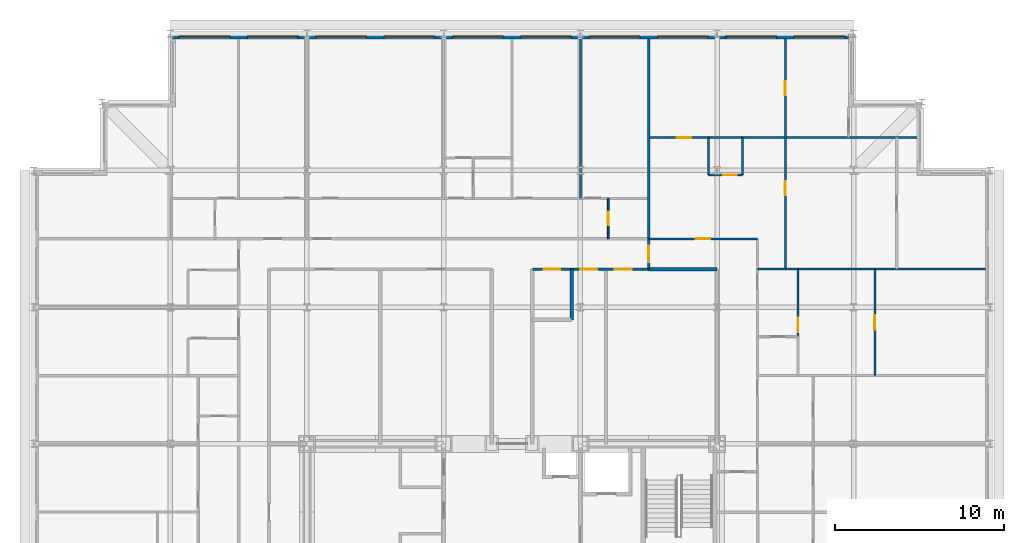
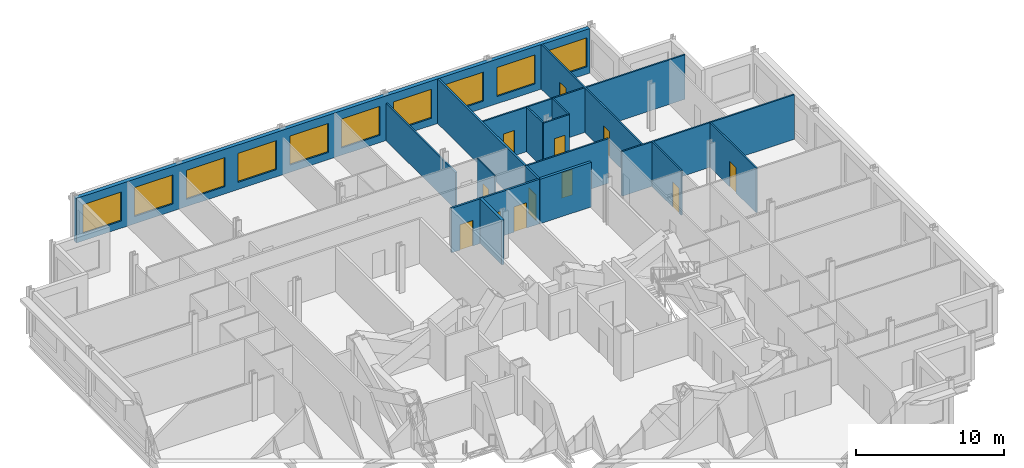
# One storey, part 13 of 15: 17 walls, 12 doors, 10 windows, 22 openings.
"""IFC4 building model written with IfcOpenShell, lengths in metres."""

from ifc_helpers import new_model, si_unit, direction, frame, frame_2d, origin, place, context, subcontext, project, spatial, rectangle, extrude, material, layer, layer_set, type_object, element, fill, save


model = new_model("IFC4")

# Units and contexts
model_context = context("Model", 3, precision=1e-05, world=origin(), true_north=direction((0.0, 1.0)))
body_context = subcontext(model_context, "Body", "Model", "MODEL_VIEW")
ifc_project = project(units=[si_unit("LENGTHUNIT", "METRE"), si_unit("AREAUNIT", "SQUARE_METRE"), si_unit("VOLUMEUNIT", "CUBIC_METRE"), si_unit("PLANEANGLEUNIT", "RADIAN"), si_unit("MASSUNIT", "GRAM", prefix="KILO")], contexts=[model_context])

# Site, building, storey
site_placement = place(None, origin())
site = spatial("IfcSite", under=ifc_project, at=site_placement, CompositionType="ELEMENT")
building_placement = place(site_placement, origin())
building = spatial("IfcBuilding", under=site, at=building_placement, Name="Kopane Lantern Tower", CompositionType="ELEMENT")
storey_placement = place(building_placement, frame((0.0, 0.0, 246.300048828125)))
storey = spatial("IfcBuildingStorey", under=building, at=storey_placement, Name="L63", CompositionType="ELEMENT", Elevation=246.300048828125)

# Wall
ifc_material_1 = material(Name="Gypsum board on steel studs", Category="steel")
ifc_layer_1 = layer(ifc_material_1, 0.1201171875)
ifc_layer_set_1 = layer_set([ifc_layer_1], Name="APARTMENT INTERNAL WALL 120")
wall_type_1 = type_object("IfcWallType", Name="APARTMENT INTERNAL WALL 120", PredefinedType="PARTITIONING", material=ifc_layer_set_1)
wall_1_placement = place(storey_placement, frame((32.39990234375, 55.050048828125, 0.0), z_axis=(0.0, 0.0, 1.0), x_axis=(0.0, 1.0, 0.0)))
element("IfcWall", 1, at=wall_1_placement, inside=storey, type_object=wall_type_1, Name="Apartment Internal Wall 120 L63", PredefinedType="PARTITIONING", context=body_context, shape_type="SweptSolid", body=[
    extrude(rectangle(XDim=9.449951171875, YDim=0.1201171875, at=frame_2d((4.72509765625, 0.0))), origin(), (0.0, 0.0, 1.0), 3.07763671875),
])

# Wall, opening, door
wall_2_placement = place(storey_placement, frame((36.449951171875, 52.64990234375, 0.0), z_axis=(0.0, 0.0, 1.0), x_axis=(1.0, 0.0, 0.0)))
wall_2 = element("IfcWall", 2, at=wall_2_placement, inside=storey, type_object=wall_type_1, Name="Apartment Internal Wall 120 L63", PredefinedType="PARTITIONING", context=body_context, shape_type="SweptSolid", body=[
    extrude(rectangle(XDim=6.449951171875, YDim=0.1201171875, at=frame_2d((3.22509765625, 0.0))), origin(), (0.0, 0.0, 1.0), 3.68994140625),
])
opening_1_placement = place(wall_2_placement, frame((2.800048828125, 0.0, 0.0)))
opening_1 = element("IfcOpeningElement", 3, at=opening_1_placement, cuts=wall_2, Name="Opening L63-053", PredefinedType="OPENING", context=body_context, shape_type="SweptSolid", body=[
    extrude(rectangle(XDim=0.85009765625, YDim=2.10009765625, at=frame_2d((0.425048828125, 1.050048828125))), frame((0.0, 0.070068359375, 0.0), z_axis=(0.0, -1.0, 0.0), x_axis=(1.0, 0.0, 0.0)), (0.0, 0.0, 1.0), 0.14013671875),
])
ifc_material_2 = material(Name="Timber door set", Category="wood")
door_type_1 = type_object("IfcDoorType", Name="DOOR D4 850x2100", OperationType="SINGLE_SWING_LEFT", PredefinedType="DOOR", material=ifc_material_2)
door_1_placement = place(opening_1_placement, origin())
door_1 = element("IfcDoor", 4, at=door_1_placement, inside=storey, type_object=door_type_1, Name="Door L63-053", OperationType="SINGLE_SWING_LEFT", OverallHeight=2.10009765625, OverallWidth=0.85009765625, PredefinedType="DOOR", context=body_context, shape_type="SweptSolid", body=[
    extrude(rectangle(XDim=0.85009765625, YDim=2.10009765625, at=frame_2d((0.425048828125, 1.050048828125))), frame((0.0, 0.02490234375, 0.0), z_axis=(0.0, -1.0, 0.0), x_axis=(1.0, 0.0, 0.0)), (0.0, 0.0, 1.0), 0.050048828125),
])
fill(opening_1, door_1)

# Wall
wall_3_placement = place(storey_placement, frame((42.89990234375, 50.85009765625, 0.0), z_axis=(0.0, 0.0, 1.0), x_axis=(1.0, 0.0, 0.0)))
element("IfcWall", 5, at=wall_3_placement, inside=storey, type_object=wall_type_1, Name="Apartment Internal Wall 120 L63", PredefinedType="PARTITIONING", context=body_context, shape_type="SweptSolid", body=[
    extrude(rectangle(XDim=13.5, YDim=0.1201171875, at=frame_2d((6.75, 0.0))), origin(), (0.0, 0.0, 1.0), 3.68994140625),
])

# Wall, opening, door
wall_4_placement = place(storey_placement, frame((36.449951171875, 58.64990234375, 0.0), z_axis=(0.0, 0.0, 1.0), x_axis=(1.0, 0.0, 0.0)))
wall_4 = element("IfcWall", 6, at=wall_4_placement, inside=storey, type_object=wall_type_1, Name="Apartment Internal Wall 120 L63", PredefinedType="PARTITIONING", context=body_context, shape_type="SweptSolid", body=[
    extrude(rectangle(XDim=15.900146484375, YDim=0.1201171875, at=frame_2d((7.9501953125, 0.0))), origin(), (0.0, 0.0, 1.0), 3.68994140625),
])
opening_2_placement = place(wall_4_placement, frame((1.675048828125, 0.0, 0.0)))
opening_2 = element("IfcOpeningElement", 7, at=opening_2_placement, cuts=wall_4, Name="Opening L63-054", PredefinedType="OPENING", context=body_context, shape_type="SweptSolid", body=[
    extrude(rectangle(XDim=0.85009765625, YDim=2.10009765625, at=frame_2d((0.425048828125, 1.050048828125))), frame((0.0, 0.070068359375, 0.0), z_axis=(0.0, -1.0, 0.0), x_axis=(1.0, 0.0, 0.0)), (0.0, 0.0, 1.0), 0.14013671875),
])
door_2_placement = place(opening_2_placement, origin())
door_2 = element("IfcDoor", 8, at=door_2_placement, inside=storey, type_object=door_type_1, Name="Door L63-054", OperationType="SINGLE_SWING_LEFT", OverallHeight=2.10009765625, OverallWidth=0.85009765625, PredefinedType="DOOR", context=body_context, shape_type="SweptSolid", body=[
    extrude(rectangle(XDim=0.85009765625, YDim=2.10009765625, at=frame_2d((0.425048828125, 1.050048828125))), frame((0.0, 0.02490234375, 0.0), z_axis=(0.0, -1.0, 0.0), x_axis=(1.0, 0.0, 0.0)), (0.0, 0.0, 1.0), 0.050048828125),
])
fill(opening_2, door_2)

# Wall, openings, doors
wall_5_placement = place(storey_placement, frame((44.550048828125, 64.5, 0.0), z_axis=(0.0, 0.0, 1.0), x_axis=(0.0, -1.0, 0.0)))
wall_5 = element("IfcWall", 9, at=wall_5_placement, inside=storey, type_object=wall_type_1, Name="Apartment Internal Wall 120 L63", PredefinedType="PARTITIONING", context=body_context, shape_type="SweptSolid", body=[
    extrude(rectangle(XDim=13.64990234375, YDim=0.1201171875, at=frame_2d((6.824951171875, 0.0))), origin(), (0.0, 0.0, 1.0), 3.68994140625),
])
opening_3_placement = place(wall_5_placement, frame((8.425048828125, 0.0, 0.0)))
opening_3 = element("IfcOpeningElement", 10, at=opening_3_placement, cuts=wall_5, Name="Opening L63-055", PredefinedType="OPENING", context=body_context, shape_type="SweptSolid", body=[
    extrude(rectangle(XDim=0.85009765625, YDim=2.10009765625, at=frame_2d((0.425048828125, 1.050048828125))), frame((0.0, 0.070068359375, 0.0), z_axis=(0.0, -1.0, 0.0), x_axis=(1.0, 0.0, 0.0)), (0.0, 0.0, 1.0), 0.14013671875),
])
opening_4_placement = place(wall_5_placement, frame((2.5, 0.0, 0.0)))
opening_4 = element("IfcOpeningElement", 11, at=opening_4_placement, cuts=wall_5, Name="Opening L63-056", PredefinedType="OPENING", context=body_context, shape_type="SweptSolid", body=[
    extrude(rectangle(XDim=0.85009765625, YDim=2.10009765625, at=frame_2d((0.425048828125, 1.050048828125))), frame((0.0, 0.070068359375, 0.0), z_axis=(0.0, -1.0, 0.0), x_axis=(1.0, 0.0, 0.0)), (0.0, 0.0, 1.0), 0.14013671875),
])
door_3_placement = place(opening_3_placement, origin())
door_3 = element("IfcDoor", 12, at=door_3_placement, inside=storey, type_object=door_type_1, Name="Door L63-055", OperationType="SINGLE_SWING_LEFT", OverallHeight=2.10009765625, OverallWidth=0.85009765625, PredefinedType="DOOR", context=body_context, shape_type="SweptSolid", body=[
    extrude(rectangle(XDim=0.85009765625, YDim=2.10009765625, at=frame_2d((0.425048828125, 1.050048828125))), frame((0.0, 0.02490234375, 0.0), z_axis=(0.0, -1.0, 0.0), x_axis=(1.0, 0.0, 0.0)), (0.0, 0.0, 1.0), 0.050048828125),
])
fill(opening_3, door_3)
door_4_placement = place(opening_4_placement, origin())
door_4 = element("IfcDoor", 13, at=door_4_placement, inside=storey, type_object=door_type_1, Name="Door L63-056", OperationType="SINGLE_SWING_RIGHT", OverallHeight=2.10009765625, OverallWidth=0.85009765625, PredefinedType="DOOR", context=body_context, shape_type="SweptSolid", body=[
    extrude(rectangle(XDim=0.85009765625, YDim=2.10009765625, at=frame_2d((0.425048828125, 1.050048828125))), frame((0.0, 0.02490234375, 0.0), z_axis=(0.0, -1.0, 0.0), x_axis=(1.0, 0.0, 0.0)), (0.0, 0.0, 1.0), 0.050048828125),
])
fill(opening_4, door_4)

# Wall, opening, door
wall_6_placement = place(storey_placement, frame((45.300048828125, 50.85009765625, 0.0), z_axis=(0.0, 0.0, 1.0), x_axis=(0.0, -1.0, 0.0)))
wall_6 = element("IfcWall", 14, at=wall_6_placement, inside=storey, type_object=wall_type_1, Name="Apartment Internal Wall 120 L63", PredefinedType="PARTITIONING", context=body_context, shape_type="SweptSolid", body=[
    extrude(rectangle(XDim=4.010009765625, YDim=0.1201171875, at=frame_2d((2.0048828125, 0.0))), origin(), (0.0, 0.0, 1.0), 3.68994140625),
])
opening_5_placement = place(wall_6_placement, frame((2.885009765625, 0.0, 0.0)))
opening_5 = element("IfcOpeningElement", 15, at=opening_5_placement, cuts=wall_6, Name="Opening L63-065", PredefinedType="OPENING", context=body_context, shape_type="SweptSolid", body=[
    extrude(rectangle(XDim=0.85009765625, YDim=2.10009765625, at=frame_2d((0.425048828125, 1.050048828125))), frame((0.0, 0.070068359375, 0.0), z_axis=(0.0, -1.0, 0.0), x_axis=(1.0, 0.0, 0.0)), (0.0, 0.0, 1.0), 0.14013671875),
])
door_5_placement = place(opening_5_placement, origin())
door_5 = element("IfcDoor", 16, at=door_5_placement, inside=storey, type_object=door_type_1, Name="Door L63-065", OperationType="SINGLE_SWING_LEFT", OverallHeight=2.10009765625, OverallWidth=0.85009765625, PredefinedType="DOOR", context=body_context, shape_type="SweptSolid", body=[
    extrude(rectangle(XDim=0.85009765625, YDim=2.10009765625, at=frame_2d((0.425048828125, 1.050048828125))), frame((0.0, 0.02490234375, 0.0), z_axis=(0.0, -1.0, 0.0), x_axis=(1.0, 0.0, 0.0)), (0.0, 0.0, 1.0), 0.050048828125),
])
fill(opening_5, door_5)

wall_7_placement = place(storey_placement, frame((49.85009765625, 44.550048828125, 0.0), z_axis=(0.0, 0.0, 1.0), x_axis=(0.0, 1.0, 0.0)))
wall_7 = element("IfcWall", 17, at=wall_7_placement, inside=storey, type_object=wall_type_1, Name="Apartment Internal Wall 120 L63", PredefinedType="PARTITIONING", context=body_context, shape_type="SweptSolid", body=[
    extrude(rectangle(XDim=6.300048828125, YDim=0.1201171875, at=frame_2d((3.14990234375, 0.0))), origin(), (0.0, 0.0, 1.0), 3.68994140625),
])
opening_6_placement = place(wall_7_placement, frame((2.72509765625, 0.0, 0.0)))
opening_6 = element("IfcOpeningElement", 18, at=opening_6_placement, cuts=wall_7, Name="Opening L63-071", PredefinedType="OPENING", context=body_context, shape_type="SweptSolid", body=[
    extrude(rectangle(XDim=0.85009765625, YDim=2.10009765625, at=frame_2d((0.425048828125, 1.050048828125))), frame((0.0, 0.070068359375, 0.0), z_axis=(0.0, -1.0, 0.0), x_axis=(1.0, 0.0, 0.0)), (0.0, 0.0, 1.0), 0.14013671875),
])
door_6_placement = place(opening_6_placement, origin())
door_6 = element("IfcDoor", 19, at=door_6_placement, inside=storey, type_object=door_type_1, Name="Door L63-071", OperationType="SINGLE_SWING_LEFT", OverallHeight=2.10009765625, OverallWidth=0.85009765625, PredefinedType="DOOR", context=body_context, shape_type="SweptSolid", body=[
    extrude(rectangle(XDim=0.85009765625, YDim=2.10009765625, at=frame_2d((0.425048828125, 1.050048828125))), frame((0.0, 0.02490234375, 0.0), z_axis=(0.0, -1.0, 0.0), x_axis=(1.0, 0.0, 0.0)), (0.0, 0.0, 1.0), 0.050048828125),
])
fill(opening_6, door_6)

# Walls
for number, where, z_axis, x_axis, name in (
    (20, (39.9970703125, 58.64990234375, 0.0), (0.0, 0.0, 1.0), (0.0, -1.0, 0.0), "Apartment Internal Wall 120 L63"),
    (21, (42.0029296875, 58.64990234375, 0.0), (0.0, 0.0, 1.0), (0.0, -1.0, 0.0), "Apartment Internal Wall 120 L63"),
):
    element("IfcWall", number, at=place(storey_placement, frame(where, z_axis=z_axis, x_axis=x_axis)), inside=storey, type_object=wall_type_1, Name=name, PredefinedType="PARTITIONING", context=body_context, shape_type="SweptSolid", body=[
        extrude(rectangle(XDim=2.212890625, YDim=0.1201171875, at=frame_2d((1.1064453125, 0.0))), origin(), (0.0, 0.0, 1.0), 3.68994140625),
    ])

# Wall, opening, door
wall_8_placement = place(storey_placement, frame((39.9970703125, 56.43701171875, 0.0), z_axis=(0.0, 0.0, 1.0), x_axis=(1.0, 0.0, 0.0)))
wall_8 = element("IfcWall", 22, at=wall_8_placement, inside=storey, type_object=wall_type_1, Name="Apartment Internal Wall 120 L63", PredefinedType="PARTITIONING", context=body_context, shape_type="SweptSolid", body=[
    extrude(rectangle(XDim=2.005859375, YDim=0.1201171875, at=frame_2d((1.0029296875, 0.0))), origin(), (0.0, 0.0, 1.0), 3.68994140625),
])
opening_7_placement = place(wall_8_placement, frame((0.8310546875, 0.0, 0.0)))
opening_7 = element("IfcOpeningElement", 23, at=opening_7_placement, cuts=wall_8, Name="Opening L63-074", PredefinedType="OPENING", context=body_context, shape_type="SweptSolid", body=[
    extrude(rectangle(XDim=0.85009765625, YDim=2.10009765625, at=frame_2d((0.425048828125, 1.050048828125))), frame((0.0, 0.070068359375, 0.0), z_axis=(0.0, -1.0, 0.0), x_axis=(1.0, 0.0, 0.0)), (0.0, 0.0, 1.0), 0.14013671875),
])
door_7_placement = place(opening_7_placement, origin())
door_7 = element("IfcDoor", 24, at=door_7_placement, inside=storey, type_object=door_type_1, Name="Door L63-074", OperationType="SINGLE_SWING_RIGHT", OverallHeight=2.10009765625, OverallWidth=0.85009765625, PredefinedType="DOOR", context=body_context, shape_type="SweptSolid", body=[
    extrude(rectangle(XDim=0.85009765625, YDim=2.10009765625, at=frame_2d((0.425048828125, 1.050048828125))), frame((0.0, 0.02490234375, 0.0), z_axis=(0.0, -1.0, 0.0), x_axis=(1.0, 0.0, 0.0)), (0.0, 0.0, 1.0), 0.050048828125),
])
fill(opening_7, door_7)

ifc_material_3 = material(Name="Moisture-resistant board on steel studs", Category="steel")
ifc_layer_2 = layer(ifc_material_3, 0.10009765625)
ifc_layer_set_2 = layer_set([ifc_layer_2], Name="BATHROOM WALL 100")
wall_type_2 = type_object("IfcWallType", Name="BATHROOM WALL 100", PredefinedType="PARTITIONING", material=ifc_layer_set_2)
wall_9_placement = place(storey_placement, frame((34.050048828125, 52.64990234375, 0.0), z_axis=(0.0, 0.0, 1.0), x_axis=(0.0, 1.0, 0.0)))
wall_9 = element("IfcWall", 25, at=wall_9_placement, inside=storey, type_object=wall_type_2, Name="Bathroom Wall 100 L63", PredefinedType="PARTITIONING", context=body_context, shape_type="SweptSolid", body=[
    extrude(rectangle(XDim=2.400146484375, YDim=0.10009765625, at=frame_2d((1.2001953125, 0.0))), origin(), (0.0, 0.0, 1.0), 3.68994140625),
])
opening_8_placement = place(wall_9_placement, frame((0.800048828125, 0.0, 0.0)))
opening_8 = element("IfcOpeningElement", 26, at=opening_8_placement, cuts=wall_9, Name="Opening L63-018", PredefinedType="OPENING", context=body_context, shape_type="SweptSolid", body=[
    extrude(rectangle(XDim=0.800048828125, YDim=2.10009765625, at=frame_2d((0.39990234375, 1.050048828125))), frame((0.0, 0.06005859375, 0.0), z_axis=(0.0, -1.0, 0.0), x_axis=(1.0, 0.0, 0.0)), (0.0, 0.0, 1.0), 0.1201171875),
])
ifc_material_4 = material(Name="Timber door set", Category="wood")
door_type_2 = type_object("IfcDoorType", Name="DOOR D2 800x2100", OperationType="SINGLE_SWING_LEFT", PredefinedType="DOOR", material=ifc_material_4)
door_8_placement = place(opening_8_placement, origin())
door_8 = element("IfcDoor", 27, at=door_8_placement, inside=storey, type_object=door_type_2, Name="Door L63-018", OperationType="SINGLE_SWING_RIGHT", OverallHeight=2.10009765625, OverallWidth=0.800048828125, PredefinedType="DOOR", context=body_context, shape_type="SweptSolid", body=[
    extrude(rectangle(XDim=0.800048828125, YDim=2.10009765625, at=frame_2d((0.39990234375, 1.050048828125))), frame((0.0, 0.02490234375, 0.0), z_axis=(0.0, -1.0, 0.0), x_axis=(1.0, 0.0, 0.0)), (0.0, 0.0, 1.0), 0.050048828125),
])
fill(opening_8, door_8)

# Wall, openings, doors
ifc_material_5 = material(Name="Gypsum board on steel studs", Category="steel")
ifc_layer_3 = layer(ifc_material_5, 0.14990234375)
ifc_layer_set_3 = layer_set([ifc_layer_3], Name="CORRIDOR WALL 150 EI 60")
wall_type_3 = type_object("IfcWallType", Name="CORRIDOR WALL 150 EI 60", PredefinedType="PARTITIONING", material=ifc_layer_set_3)
wall_10_placement = place(storey_placement, frame((29.56005859375, 50.85009765625, 0.0), z_axis=(0.0, 0.0, 1.0), x_axis=(1.0, 0.0, 0.0)))
wall_10 = element("IfcWall", 28, at=wall_10_placement, inside=storey, type_object=wall_type_3, Name="Corridor Wall 150 Ei 60 L63", PredefinedType="PARTITIONING", context=body_context, shape_type="SweptSolid", body=[
    extrude(rectangle(XDim=6.889892578125, YDim=0.14990234375, at=frame_2d((3.44482421875, 0.0))), origin(), (0.0, 0.0, 1.0), 3.68994140625),
])
opening_9_placement = place(wall_10_placement, frame((0.65673828125, 0.0, 0.0)))
opening_9 = element("IfcOpeningElement", 29, at=opening_9_placement, cuts=wall_10, Name="Opening L63-005", PredefinedType="OPENING", context=body_context, shape_type="SweptSolid", body=[
    extrude(rectangle(XDim=1.0, YDim=2.10009765625, at=frame_2d((0.5, 1.050048828125))), frame((0.0, 0.0849609375, 0.0), z_axis=(0.0, -1.0, 0.0), x_axis=(1.0, 0.0, 0.0)), (0.0, 0.0, 1.0), 0.169921875),
])
opening_10_placement = place(wall_10_placement, frame((2.840087890625, 0.0, 0.0)))
opening_10 = element("IfcOpeningElement", 30, at=opening_10_placement, cuts=wall_10, Name="Opening L63-006", PredefinedType="OPENING", context=body_context, shape_type="SweptSolid", body=[
    extrude(rectangle(XDim=1.0, YDim=2.10009765625, at=frame_2d((0.5, 1.050048828125))), frame((0.0, 0.0849609375, 0.0), z_axis=(0.0, -1.0, 0.0), x_axis=(1.0, 0.0, 0.0)), (0.0, 0.0, 1.0), 0.169921875),
])
opening_11_placement = place(wall_10_placement, frame((4.873291015625, 0.0, 0.0)))
opening_11 = element("IfcOpeningElement", 31, at=opening_11_placement, cuts=wall_10, Name="Opening L63-007", PredefinedType="OPENING", context=body_context, shape_type="SweptSolid", body=[
    extrude(rectangle(XDim=1.0, YDim=2.10009765625, at=frame_2d((0.5, 1.050048828125))), frame((0.0, 0.0849609375, 0.0), z_axis=(0.0, -1.0, 0.0), x_axis=(1.0, 0.0, 0.0)), (0.0, 0.0, 1.0), 0.169921875),
])
ifc_material_6 = material(Name="Steel door set", Category="steel")
door_type_3 = type_object("IfcDoorType", Name="DOOR D5 1000x2100 FD60", OperationType="SINGLE_SWING_LEFT", PredefinedType="DOOR", material=ifc_material_6)
door_9_placement = place(opening_9_placement, origin())
door_9 = element("IfcDoor", 32, at=door_9_placement, inside=storey, type_object=door_type_3, Name="Door L63-005", OperationType="SINGLE_SWING_RIGHT", OverallHeight=2.10009765625, OverallWidth=1.0, PredefinedType="DOOR", context=body_context, shape_type="SweptSolid", body=[
    extrude(rectangle(XDim=1.0, YDim=2.10009765625, at=frame_2d((0.5, 1.050048828125))), frame((0.0, 0.02490234375, 0.0), z_axis=(0.0, -1.0, 0.0), x_axis=(1.0, 0.0, 0.0)), (0.0, 0.0, 1.0), 0.050048828125),
])
fill(opening_9, door_9)
door_10_placement = place(opening_10_placement, origin())
door_10 = element("IfcDoor", 33, at=door_10_placement, inside=storey, type_object=door_type_3, Name="Door L63-006", OperationType="SINGLE_SWING_LEFT", OverallHeight=2.10009765625, OverallWidth=1.0, PredefinedType="DOOR", context=body_context, shape_type="SweptSolid", body=[
    extrude(rectangle(XDim=1.0, YDim=2.10009765625, at=frame_2d((0.5, 1.050048828125))), frame((0.0, 0.02490234375, 0.0), z_axis=(0.0, -1.0, 0.0), x_axis=(1.0, 0.0, 0.0)), (0.0, 0.0, 1.0), 0.050048828125),
])
fill(opening_10, door_10)
door_11_placement = place(opening_11_placement, origin())
door_11 = element("IfcDoor", 34, at=door_11_placement, inside=storey, type_object=door_type_3, Name="Door L63-007", OperationType="SINGLE_SWING_RIGHT", OverallHeight=2.10009765625, OverallWidth=1.0, PredefinedType="DOOR", context=body_context, shape_type="SweptSolid", body=[
    extrude(rectangle(XDim=1.0, YDim=2.10009765625, at=frame_2d((0.5, 1.050048828125))), frame((0.0, 0.02490234375, 0.0), z_axis=(0.0, -1.0, 0.0), x_axis=(1.0, 0.0, 0.0)), (0.0, 0.0, 1.0), 0.050048828125),
])
fill(opening_11, door_11)

# Wall, opening, door
wall_11_placement = place(storey_placement, frame((36.449951171875, 50.85009765625, 0.0), z_axis=(0.0, 0.0, 1.0), x_axis=(0.0, 1.0, 0.0)))
wall_11 = element("IfcWall", 35, at=wall_11_placement, inside=storey, type_object=wall_type_3, Name="Corridor Wall 150 Ei 60 L63", PredefinedType="PARTITIONING", context=body_context, shape_type="SweptSolid", body=[
    extrude(rectangle(XDim=1.7998046875, YDim=0.14990234375, at=frame_2d((0.89990234375, 0.0))), origin(), (0.0, 0.0, 1.0), 3.68994140625),
])
opening_12_placement = place(wall_11_placement, frame((0.39990234375, 0.0, 0.0)))
opening_12 = element("IfcOpeningElement", 36, at=opening_12_placement, cuts=wall_11, Name="Opening L63-051", PredefinedType="OPENING", context=body_context, shape_type="SweptSolid", body=[
    extrude(rectangle(XDim=1.0, YDim=2.10009765625, at=frame_2d((0.5, 1.050048828125))), frame((0.0, 0.0849609375, 0.0), z_axis=(0.0, -1.0, 0.0), x_axis=(1.0, 0.0, 0.0)), (0.0, 0.0, 1.0), 0.169921875),
])
ifc_material_7 = material(Name="Steel door set", Category="steel")
door_type_4 = type_object("IfcDoorType", Name="DOOR D3 1000x2100 FD30S", OperationType="SINGLE_SWING_LEFT", PredefinedType="DOOR", material=ifc_material_7)
door_12_placement = place(opening_12_placement, origin())
door_12 = element("IfcDoor", 37, at=door_12_placement, inside=storey, type_object=door_type_4, Name="Door L63-051", OperationType="SINGLE_SWING_RIGHT", OverallHeight=2.10009765625, OverallWidth=1.0, PredefinedType="DOOR", context=body_context, shape_type="SweptSolid", body=[
    extrude(rectangle(XDim=1.0, YDim=2.10009765625, at=frame_2d((0.5, 1.050048828125))), frame((0.0, 0.02490234375, 0.0), z_axis=(0.0, -1.0, 0.0), x_axis=(1.0, 0.0, 0.0)), (0.0, 0.0, 1.0), 0.050048828125),
])
fill(opening_12, door_12)

# Wall
ifc_material_8 = material(Name="Gypsum board on steel studs", Category="steel")
ifc_layer_4 = layer(ifc_material_8, 0.14990234375)
ifc_layer_set_4 = layer_set([ifc_layer_4], Name="DEMISING WALL 150 EI 60")
wall_type_4 = type_object("IfcWallType", Name="DEMISING WALL 150 EI 60", PredefinedType="PARTITIONING", material=ifc_layer_set_4)
wall_12_placement = place(storey_placement, frame((36.449951171875, 64.5, 0.0), z_axis=(0.0, 0.0, 1.0), x_axis=(0.0, -1.0, 0.0)))
element("IfcWall", 38, at=wall_12_placement, inside=storey, type_object=wall_type_4, Name="Demising Wall 150 Ei 60 L63", PredefinedType="PARTITIONING", context=body_context, shape_type="SweptSolid", body=[
    extrude(rectangle(XDim=11.85009765625, YDim=0.14990234375, at=frame_2d((5.925048828125, 0.0))), origin(), (0.0, 0.0, 1.0), 3.68994140625),
])

# Wall, openings, windows
ifc_material_9 = material(Name="Terracotta rainscreen on light steel framing", Category="masonry")
ifc_layer_5 = layer(ifc_material_9, 0.300048828125)
ifc_layer_set_5 = layer_set([ifc_layer_5], Name="EXTERNAL WALL EW1 300 TERRACOTTA")
wall_type_5 = type_object("IfcWallType", Name="EXTERNAL WALL EW1 300 TERRACOTTA", PredefinedType="SOLIDWALL", material=ifc_layer_set_5)
wall_13_placement = place(storey_placement, frame((48.300048828125, 64.64990234375, 0.0), z_axis=(0.0, 0.0, 1.0), x_axis=(-1.0, 0.0, 0.0)))
wall_13 = element("IfcWall", 39, at=wall_13_placement, inside=storey, type_object=wall_type_5, Name="External wall N L63", PredefinedType="SOLIDWALL", context=body_context, shape_type="SweptSolid", body=[
    extrude(rectangle(XDim=40.199951171875, YDim=0.300048828125, at=frame_2d((20.10009765625, 0.0))), origin(), (0.0, 0.0, 1.0), 3.68994140625),
])
opening_13_placement = place(wall_13_placement, frame((0.22509765625, 0.0, 0.60009765625)))
opening_13 = element("IfcOpeningElement", 40, at=opening_13_placement, cuts=wall_13, Name="Opening WR300240", PredefinedType="OPENING", context=body_context, shape_type="SweptSolid", body=[
    extrude(rectangle(XDim=3.0, YDim=2.39990234375, at=frame_2d((1.5, 1.199951171875))), frame((0.0, 0.159912109375, 0.0), z_axis=(0.0, -1.0, 0.0), x_axis=(1.0, 0.0, 0.0)), (0.0, 0.0, 1.0), 0.320068359375),
])
opening_14_placement = place(wall_13_placement, frame((4.27490234375, 0.0, 0.60009765625)))
opening_14 = element("IfcOpeningElement", 41, at=opening_14_placement, cuts=wall_13, Name="Opening WR300240", PredefinedType="OPENING", context=body_context, shape_type="SweptSolid", body=[
    extrude(rectangle(XDim=3.0, YDim=2.39990234375, at=frame_2d((1.5, 1.199951171875))), frame((0.0, 0.159912109375, 0.0), z_axis=(0.0, -1.0, 0.0), x_axis=(1.0, 0.0, 0.0)), (0.0, 0.0, 1.0), 0.320068359375),
])
opening_15_placement = place(wall_13_placement, frame((8.324951171875, 0.0, 0.60009765625)))
opening_15 = element("IfcOpeningElement", 42, at=opening_15_placement, cuts=wall_13, Name="Opening WR300240", PredefinedType="OPENING", context=body_context, shape_type="SweptSolid", body=[
    extrude(rectangle(XDim=3.0, YDim=2.39990234375, at=frame_2d((1.5, 1.199951171875))), frame((0.0, 0.159912109375, 0.0), z_axis=(0.0, -1.0, 0.0), x_axis=(1.0, 0.0, 0.0)), (0.0, 0.0, 1.0), 0.320068359375),
])
opening_16_placement = place(wall_13_placement, frame((12.375, 0.0, 0.60009765625)))
opening_16 = element("IfcOpeningElement", 43, at=opening_16_placement, cuts=wall_13, Name="Opening WR300240", PredefinedType="OPENING", context=body_context, shape_type="SweptSolid", body=[
    extrude(rectangle(XDim=3.0, YDim=2.39990234375, at=frame_2d((1.5, 1.199951171875))), frame((0.0, 0.159912109375, 0.0), z_axis=(0.0, -1.0, 0.0), x_axis=(1.0, 0.0, 0.0)), (0.0, 0.0, 1.0), 0.320068359375),
])
opening_17_placement = place(wall_13_placement, frame((16.425048828125, 0.0, 0.60009765625)))
opening_17 = element("IfcOpeningElement", 44, at=opening_17_placement, cuts=wall_13, Name="Opening WR300240", PredefinedType="OPENING", context=body_context, shape_type="SweptSolid", body=[
    extrude(rectangle(XDim=3.0, YDim=2.39990234375, at=frame_2d((1.5, 1.199951171875))), frame((0.0, 0.159912109375, 0.0), z_axis=(0.0, -1.0, 0.0), x_axis=(1.0, 0.0, 0.0)), (0.0, 0.0, 1.0), 0.320068359375),
])
opening_18_placement = place(wall_13_placement, frame((20.47509765625, 0.0, 0.60009765625)))
opening_18 = element("IfcOpeningElement", 45, at=opening_18_placement, cuts=wall_13, Name="Opening WR300240", PredefinedType="OPENING", context=body_context, shape_type="SweptSolid", body=[
    extrude(rectangle(XDim=3.0, YDim=2.39990234375, at=frame_2d((1.5, 1.199951171875))), frame((0.0, 0.159912109375, 0.0), z_axis=(0.0, -1.0, 0.0), x_axis=(1.0, 0.0, 0.0)), (0.0, 0.0, 1.0), 0.320068359375),
])
opening_19_placement = place(wall_13_placement, frame((24.52490234375, 0.0, 0.60009765625)))
opening_19 = element("IfcOpeningElement", 46, at=opening_19_placement, cuts=wall_13, Name="Opening WR300240", PredefinedType="OPENING", context=body_context, shape_type="SweptSolid", body=[
    extrude(rectangle(XDim=3.0, YDim=2.39990234375, at=frame_2d((1.5, 1.199951171875))), frame((0.0, 0.159912109375, 0.0), z_axis=(0.0, -1.0, 0.0), x_axis=(1.0, 0.0, 0.0)), (0.0, 0.0, 1.0), 0.320068359375),
])
opening_20_placement = place(wall_13_placement, frame((28.574951171875, 0.0, 0.60009765625)))
opening_20 = element("IfcOpeningElement", 47, at=opening_20_placement, cuts=wall_13, Name="Opening WR300240", PredefinedType="OPENING", context=body_context, shape_type="SweptSolid", body=[
    extrude(rectangle(XDim=3.0, YDim=2.39990234375, at=frame_2d((1.5, 1.199951171875))), frame((0.0, 0.159912109375, 0.0), z_axis=(0.0, -1.0, 0.0), x_axis=(1.0, 0.0, 0.0)), (0.0, 0.0, 1.0), 0.320068359375),
])
opening_21_placement = place(wall_13_placement, frame((32.625, 0.0, 0.60009765625)))
opening_21 = element("IfcOpeningElement", 48, at=opening_21_placement, cuts=wall_13, Name="Opening WR300240", PredefinedType="OPENING", context=body_context, shape_type="SweptSolid", body=[
    extrude(rectangle(XDim=3.0, YDim=2.39990234375, at=frame_2d((1.5, 1.199951171875))), frame((0.0, 0.159912109375, 0.0), z_axis=(0.0, -1.0, 0.0), x_axis=(1.0, 0.0, 0.0)), (0.0, 0.0, 1.0), 0.320068359375),
])
opening_22_placement = place(wall_13_placement, frame((36.675048828125, 0.0, 0.60009765625)))
opening_22 = element("IfcOpeningElement", 49, at=opening_22_placement, cuts=wall_13, Name="Opening WR300240", PredefinedType="OPENING", context=body_context, shape_type="SweptSolid", body=[
    extrude(rectangle(XDim=3.0, YDim=2.39990234375, at=frame_2d((1.5, 1.199951171875))), frame((0.0, 0.159912109375, 0.0), z_axis=(0.0, -1.0, 0.0), x_axis=(1.0, 0.0, 0.0)), (0.0, 0.0, 1.0), 0.320068359375),
])
ifc_material_10 = material(Name="Aluminium and clear glass", Category="aluminium")
window_type = type_object("IfcWindowType", Name="RIBBON WINDOW WR300240 3000x2400", PartitioningType="SINGLE_PANEL", PredefinedType="WINDOW", material=ifc_material_10)
window_1_placement = place(opening_13_placement, origin())
window_1 = element("IfcWindow", 50, at=window_1_placement, inside=storey, type_object=window_type, Name="Window N L63", OverallHeight=2.39990234375, OverallWidth=3.0, PartitioningType="SINGLE_PANEL", PredefinedType="WINDOW", context=body_context, shape_type="SweptSolid", body=[
    extrude(rectangle(XDim=3.0, YDim=2.39990234375, at=frame_2d((1.5, 1.199951171875))), frame((0.0, 0.030029296875, 0.0), z_axis=(0.0, -1.0, 0.0), x_axis=(1.0, 0.0, 0.0)), (0.0, 0.0, 1.0), 0.06005859375),
])
fill(opening_13, window_1)
window_2_placement = place(opening_14_placement, origin())
window_2 = element("IfcWindow", 51, at=window_2_placement, inside=storey, type_object=window_type, Name="Window N L63", OverallHeight=2.39990234375, OverallWidth=3.0, PartitioningType="SINGLE_PANEL", PredefinedType="WINDOW", context=body_context, shape_type="SweptSolid", body=[
    extrude(rectangle(XDim=3.0, YDim=2.39990234375, at=frame_2d((1.5, 1.199951171875))), frame((0.0, 0.030029296875, 0.0), z_axis=(0.0, -1.0, 0.0), x_axis=(1.0, 0.0, 0.0)), (0.0, 0.0, 1.0), 0.06005859375),
])
fill(opening_14, window_2)
window_3_placement = place(opening_15_placement, origin())
window_3 = element("IfcWindow", 52, at=window_3_placement, inside=storey, type_object=window_type, Name="Window N L63", OverallHeight=2.39990234375, OverallWidth=3.0, PartitioningType="SINGLE_PANEL", PredefinedType="WINDOW", context=body_context, shape_type="SweptSolid", body=[
    extrude(rectangle(XDim=3.0, YDim=2.39990234375, at=frame_2d((1.5, 1.199951171875))), frame((0.0, 0.030029296875, 0.0), z_axis=(0.0, -1.0, 0.0), x_axis=(1.0, 0.0, 0.0)), (0.0, 0.0, 1.0), 0.06005859375),
])
fill(opening_15, window_3)
window_4_placement = place(opening_16_placement, origin())
window_4 = element("IfcWindow", 53, at=window_4_placement, inside=storey, type_object=window_type, Name="Window N L63", OverallHeight=2.39990234375, OverallWidth=3.0, PartitioningType="SINGLE_PANEL", PredefinedType="WINDOW", context=body_context, shape_type="SweptSolid", body=[
    extrude(rectangle(XDim=3.0, YDim=2.39990234375, at=frame_2d((1.5, 1.199951171875))), frame((0.0, 0.030029296875, 0.0), z_axis=(0.0, -1.0, 0.0), x_axis=(1.0, 0.0, 0.0)), (0.0, 0.0, 1.0), 0.06005859375),
])
fill(opening_16, window_4)
window_5_placement = place(opening_17_placement, origin())
window_5 = element("IfcWindow", 54, at=window_5_placement, inside=storey, type_object=window_type, Name="Window N L63", OverallHeight=2.39990234375, OverallWidth=3.0, PartitioningType="SINGLE_PANEL", PredefinedType="WINDOW", context=body_context, shape_type="SweptSolid", body=[
    extrude(rectangle(XDim=3.0, YDim=2.39990234375, at=frame_2d((1.5, 1.199951171875))), frame((0.0, 0.030029296875, 0.0), z_axis=(0.0, -1.0, 0.0), x_axis=(1.0, 0.0, 0.0)), (0.0, 0.0, 1.0), 0.06005859375),
])
fill(opening_17, window_5)
window_6_placement = place(opening_18_placement, origin())
window_6 = element("IfcWindow", 55, at=window_6_placement, inside=storey, type_object=window_type, Name="Window N L63", OverallHeight=2.39990234375, OverallWidth=3.0, PartitioningType="SINGLE_PANEL", PredefinedType="WINDOW", context=body_context, shape_type="SweptSolid", body=[
    extrude(rectangle(XDim=3.0, YDim=2.39990234375, at=frame_2d((1.5, 1.199951171875))), frame((0.0, 0.030029296875, 0.0), z_axis=(0.0, -1.0, 0.0), x_axis=(1.0, 0.0, 0.0)), (0.0, 0.0, 1.0), 0.06005859375),
])
fill(opening_18, window_6)
window_7_placement = place(opening_19_placement, origin())
window_7 = element("IfcWindow", 56, at=window_7_placement, inside=storey, type_object=window_type, Name="Window N L63", OverallHeight=2.39990234375, OverallWidth=3.0, PartitioningType="SINGLE_PANEL", PredefinedType="WINDOW", context=body_context, shape_type="SweptSolid", body=[
    extrude(rectangle(XDim=3.0, YDim=2.39990234375, at=frame_2d((1.5, 1.199951171875))), frame((0.0, 0.030029296875, 0.0), z_axis=(0.0, -1.0, 0.0), x_axis=(1.0, 0.0, 0.0)), (0.0, 0.0, 1.0), 0.06005859375),
])
fill(opening_19, window_7)
window_8_placement = place(opening_20_placement, origin())
window_8 = element("IfcWindow", 57, at=window_8_placement, inside=storey, type_object=window_type, Name="Window N L63", OverallHeight=2.39990234375, OverallWidth=3.0, PartitioningType="SINGLE_PANEL", PredefinedType="WINDOW", context=body_context, shape_type="SweptSolid", body=[
    extrude(rectangle(XDim=3.0, YDim=2.39990234375, at=frame_2d((1.5, 1.199951171875))), frame((0.0, 0.030029296875, 0.0), z_axis=(0.0, -1.0, 0.0), x_axis=(1.0, 0.0, 0.0)), (0.0, 0.0, 1.0), 0.06005859375),
])
fill(opening_20, window_8)
window_9_placement = place(opening_21_placement, origin())
window_9 = element("IfcWindow", 58, at=window_9_placement, inside=storey, type_object=window_type, Name="Window N L63", OverallHeight=2.39990234375, OverallWidth=3.0, PartitioningType="SINGLE_PANEL", PredefinedType="WINDOW", context=body_context, shape_type="SweptSolid", body=[
    extrude(rectangle(XDim=3.0, YDim=2.39990234375, at=frame_2d((1.5, 1.199951171875))), frame((0.0, 0.030029296875, 0.0), z_axis=(0.0, -1.0, 0.0), x_axis=(1.0, 0.0, 0.0)), (0.0, 0.0, 1.0), 0.06005859375),
])
fill(opening_21, window_9)
window_10_placement = place(opening_22_placement, origin())
window_10 = element("IfcWindow", 59, at=window_10_placement, inside=storey, type_object=window_type, Name="Window N L63", OverallHeight=2.39990234375, OverallWidth=3.0, PartitioningType="SINGLE_PANEL", PredefinedType="WINDOW", context=body_context, shape_type="SweptSolid", body=[
    extrude(rectangle(XDim=3.0, YDim=2.39990234375, at=frame_2d((1.5, 1.199951171875))), frame((0.0, 0.030029296875, 0.0), z_axis=(0.0, -1.0, 0.0), x_axis=(1.0, 0.0, 0.0)), (0.0, 0.0, 1.0), 0.06005859375),
])
fill(opening_22, window_10)

# Walls
ifc_material_11 = material(Name="Concrete masonry", Category="masonry")
ifc_layer_6 = layer(ifc_material_11, 0.199951171875)
ifc_layer_set_6 = layer_set([ifc_layer_6], Name="PLANT ROOM WALL 200 EI 120")
wall_type_6 = type_object("IfcWallType", Name="PLANT ROOM WALL 200 EI 120", PredefinedType="SOLIDWALL", material=ifc_layer_set_6)
wall_14_placement = place(storey_placement, frame((31.88330078125, 50.85009765625, 0.0), z_axis=(0.0, 0.0, 1.0), x_axis=(0.0, -1.0, 0.0)))
element("IfcWall", 60, at=wall_14_placement, inside=storey, type_object=wall_type_6, Name="Plant Room Wall 200 Ei 120 L63", PredefinedType="SOLIDWALL", context=body_context, shape_type="SweptSolid", body=[
    extrude(rectangle(XDim=3.0, YDim=0.199951171875, at=frame_2d((1.5, 0.0))), origin(), (0.0, 0.0, 1.0), 3.68994140625),
])
wall_15_placement = place(storey_placement, frame((36.449951171875, 50.85009765625, 0.0), z_axis=(0.0, 0.0, 1.0), x_axis=(1.0, 0.0, 0.0)))
element("IfcWall", 61, at=wall_15_placement, inside=storey, type_object=wall_type_6, Name="Plant Room Wall 200 Ei 120 L63", PredefinedType="SOLIDWALL", context=body_context, shape_type="SweptSolid", body=[
    extrude(rectangle(XDim=4.050048828125, YDim=0.199951171875, at=frame_2d((2.02490234375, 0.0))), origin(), (0.0, 0.0, 1.0), 3.68994140625),
])

save(model, "model.ifc")
